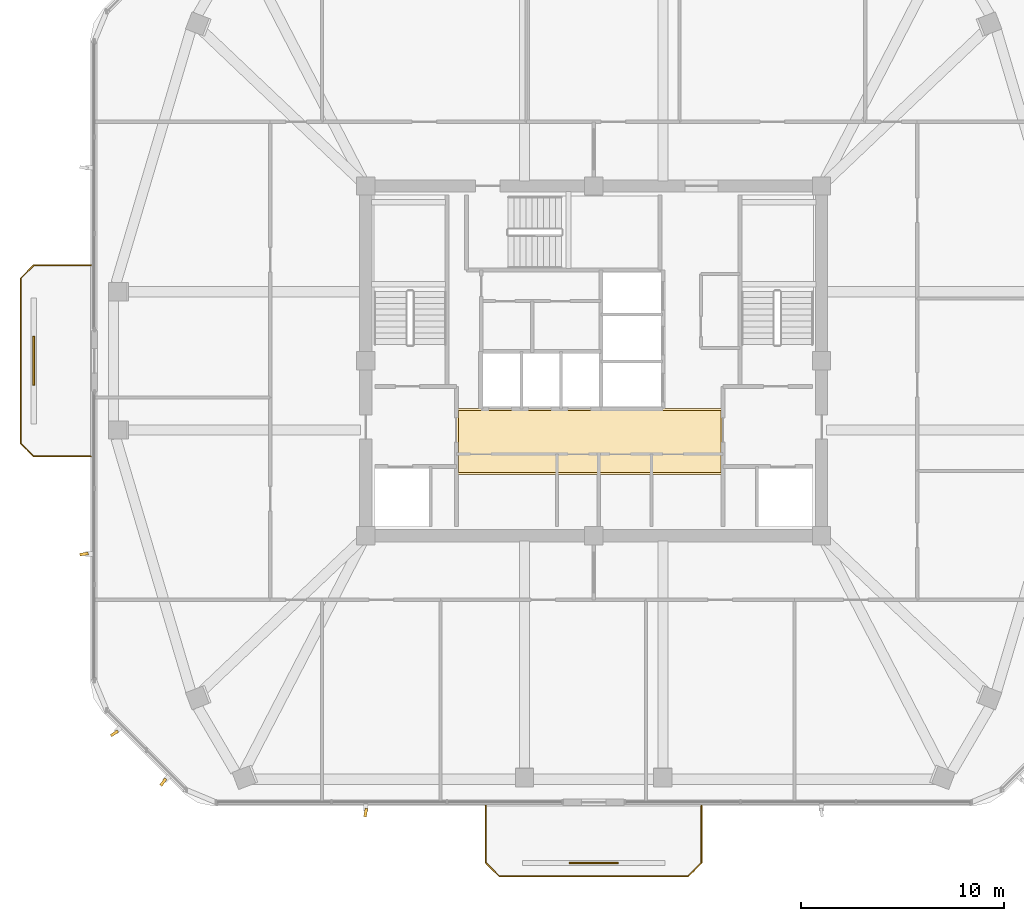
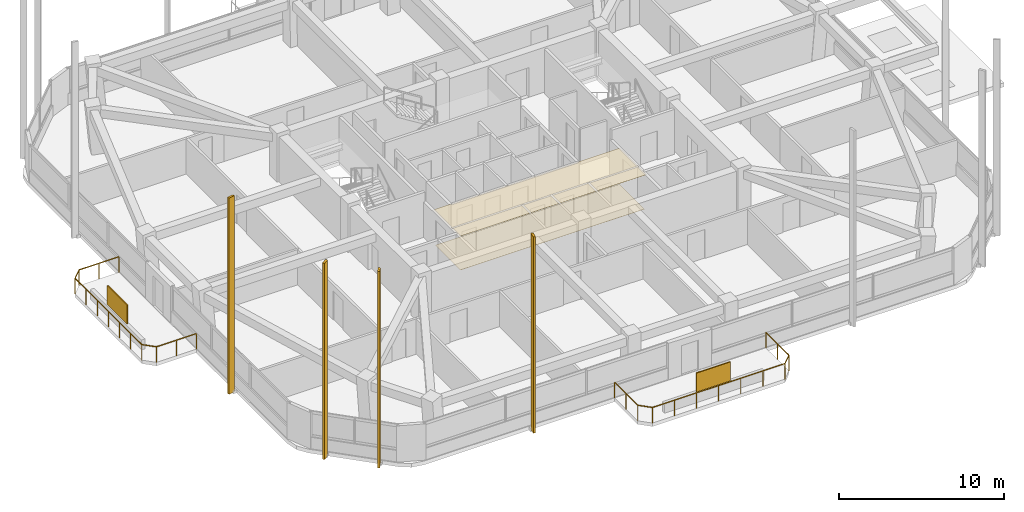
# One storey, part 11 of 14: 6 shading devices, 2 coverings, 2 railings.
"""IFC4 building model written with IfcOpenShell, lengths in metres."""

import ifcopenshell
import ifcopenshell.guid

model = None  # the IFC model being written
_history = None  # IfcOwnerHistory: only IFC2X3 demands one
_inside = {}  # id of a spatial element -> (the spatial element, [elements in it])
_under = {}  # id of a project, library or spatial element -> (it, [spatial elements below it])
_declared = {}  # id of a project -> (the project, [libraries it declares])
_typed = {}  # id of a type object -> (the type object, [elements of that type])
_made_of = {}  # id of a material, layer set ... -> (it, [elements and type objects made of it])


def new_model(schema):
    """Start an empty IFC model of exactly this schema.

    Asked for "IFC4X3", IfcOpenShell would pick the latest addendum, in which some entities
    have other attributes; the version numbers below select the first issue.
    IFC2X3 requires an IfcOwnerHistory on every rooted entity: one is made here for all.
    """
    global model, _history
    if schema == "IFC4X3":
        model = ifcopenshell.file(schema_version=(4, 3, 0, 0))
    else:
        model = ifcopenshell.file(schema=schema)
    _inside.clear()
    _under.clear()
    _declared.clear()
    _typed.clear()
    _made_of.clear()
    _history = None
    if model.schema == "IFC2X3":
        org = make("IfcOrganization", Name="unknown")
        user = make(
            "IfcPersonAndOrganization",
            ThePerson=make("IfcPerson", FamilyName="unknown"),
            TheOrganization=org,
        )
        app = make(
            "IfcApplication",
            ApplicationDeveloper=org,
            Version="unknown",
            ApplicationFullName="unknown",
            ApplicationIdentifier="unknown",
        )
        _history = make(
            "IfcOwnerHistory",
            OwningUser=user,
            OwningApplication=app,
            ChangeAction="ADDED",
            CreationDate=0,
        )
    return model


def make(cls, **values):
    """One entity of the class cls with the attributes given. An attribute that is None is left unset."""
    return model.create_entity(
        cls, **{name: value for name, value in values.items() if value is not None}
    )


def rooted(cls, **values):
    """An entity with a GlobalId (a new one), such as an element, a storey or a relation."""
    return make(cls, GlobalId=ifcopenshell.guid.new(), OwnerHistory=_history, **values)


def si_unit(unit_type, name, prefix=None):
    """IfcSIUnit, for example si_unit("LENGTHUNIT", "METRE", prefix="MILLI")."""
    return make("IfcSIUnit", UnitType=unit_type, Prefix=prefix, Name=name)


def derived_unit(unit_type, elements):
    """IfcDerivedUnit: a product of units, each with its exponent."""
    return make(
        "IfcDerivedUnit",
        Elements=[
            make("IfcDerivedUnitElement", Unit=unit, Exponent=power)
            for unit, power in elements
        ],
        UnitType=unit_type,
    )


def assignment(units):
    """IfcUnitAssignment: the units of a project."""
    return None if units is None else make("IfcUnitAssignment", Units=units)


def point(xyz):
    """IfcCartesianPoint."""
    return None if xyz is None else make("IfcCartesianPoint", Coordinates=xyz)


def direction(xyz):
    """IfcDirection."""
    return None if xyz is None else make("IfcDirection", DirectionRatios=xyz)


def frame(location, z_axis=None, x_axis=None):
    """IfcAxis2Placement3D, a coordinate frame: its origin and axes. An axis left out is left unset."""
    return make(
        "IfcAxis2Placement3D",
        Location=point(location),
        Axis=direction(z_axis),
        RefDirection=direction(x_axis),
    )


def frame_2d(location, x_axis=None):
    """IfcAxis2Placement2D, a coordinate frame in the plane: its origin and x axis."""
    return make(
        "IfcAxis2Placement2D", Location=point(location), RefDirection=direction(x_axis)
    )


def origin():
    """The frame at (0, 0, 0) with its axes left unset."""
    return frame((0.0, 0.0, 0.0))


def origin_2d():
    """The frame at (0, 0) in the plane with its x axis left unset."""
    return frame_2d((0.0, 0.0))


def place(relative_to, where):
    """IfcLocalPlacement: puts the frame where relative to a parent placement (None: the world)."""
    return make(
        "IfcLocalPlacement", PlacementRelTo=relative_to, RelativePlacement=where
    )


def context(
    kind, dimensions, precision=None, world=None, true_north=None, identifier=None
):
    """IfcGeometricRepresentationContext, for example the 3D "Model" context."""
    return make(
        "IfcGeometricRepresentationContext",
        ContextIdentifier=identifier,
        ContextType=kind,
        CoordinateSpaceDimension=dimensions,
        Precision=precision,
        WorldCoordinateSystem=world,
        TrueNorth=true_north,
    )


def subcontext(parent, identifier, kind, view, scale=None):
    """IfcGeometricRepresentationSubContext, for example "Body" below "Model"."""
    return make(
        "IfcGeometricRepresentationSubContext",
        ContextIdentifier=identifier,
        ContextType=kind,
        ParentContext=parent,
        TargetScale=scale,
        TargetView=view,
    )


def project(units=None, contexts=None):
    """IfcProject with its units and contexts."""
    return rooted(
        "IfcProject",
        Name="project",
        RepresentationContexts=contexts,
        UnitsInContext=assignment(units),
    )


def spatial(cls, under=None, at=None, **own):
    """A site, building, storey or space (cls), placed at a placement, below another one or the project."""
    s = rooted(cls, ObjectPlacement=at, **own)
    if under is not None:
        _under.setdefault(under.id(), (under, []))[1].append(s)
    return s


def polyline(points):
    """IfcPolyline through the points."""
    return make("IfcPolyline", Points=[point(p) for p in points])


def profile(cls, at=None, kind="AREA", **sizes):
    """A parametric profile (cls). Its sizes go by their IFC names, for example OverallWidth=200.0."""
    return make(cls, ProfileType=kind, Position=at, **sizes)


def rectangle(**sizes):
    """IfcRectangleProfileDef."""
    return profile("IfcRectangleProfileDef", **sizes)


def outline(outer, holes=None, kind="AREA"):
    """IfcArbitraryClosedProfileDef: a profile drawn as a closed curve; with holes, ...WithVoids."""
    if holes is None:
        return make("IfcArbitraryClosedProfileDef", ProfileType=kind, OuterCurve=outer)
    return make(
        "IfcArbitraryProfileDefWithVoids",
        ProfileType=kind,
        OuterCurve=outer,
        InnerCurves=holes,
    )


def extrude(swept, where, along, depth):
    """IfcExtrudedAreaSolid: the profile swept, set in the frame where, extruded along a direction by depth."""
    return make(
        "IfcExtrudedAreaSolid",
        SweptArea=swept,
        Position=where,
        ExtrudedDirection=direction(along),
        Depth=depth,
    )


def shape(context_of_items, identifier, shape_type, items):
    """IfcShapeRepresentation: the items that make up one representation, for example the "Body"."""
    return make(
        "IfcShapeRepresentation",
        ContextOfItems=context_of_items,
        RepresentationIdentifier=identifier,
        RepresentationType=shape_type,
        Items=items,
    )


def material(Name=None, Category=None):
    """IfcMaterial."""
    return make("IfcMaterial", Name=Name, Category=Category)


def layer(
    of_material, thickness, ventilated=None, Name=None, Category=None, Priority=None
):
    """IfcMaterialLayer: one layer of a wall or slab, of a material (None: an air gap)."""
    return make(
        "IfcMaterialLayer",
        Material=of_material,
        LayerThickness=thickness,
        IsVentilated=ventilated,
        Name=Name,
        Category=Category,
        Priority=Priority,
    )


def layer_set(layers, Name=None):
    """IfcMaterialLayerSet."""
    return make("IfcMaterialLayerSet", MaterialLayers=layers, LayerSetName=Name)


def made_of(thing, what):
    """Note that an element or type object is made of a material, layer set ...; save() writes the relation."""
    if what is not None:
        _made_of.setdefault(what.id(), (what, []))[1].append(thing)
    return thing


def type_object(cls, material=None, **own):
    """A type object (cls), such as IfcWallType, which elements share."""
    return made_of(rooted(cls, **own), material)


def element(
    cls,
    number,
    at=None,
    inside=None,
    cuts=None,
    type_object=None,
    material=None,
    context=None,
    identifier="Body",
    shape_type=None,
    held_by="IfcProductDefinitionShape",
    body=None,
    shapes=None,
    **own,
):
    """One element of the class cls, such as IfcWall. Its Tag is "e" and its number.

    at: its placement. inside: the storey or other place that contains it. cuts: it is an
    opening in that element (IfcRelVoidsElement). A single representation is given by context,
    identifier, shape_type and body (its items); several are given by shapes. held_by: the class
    of the entity that holds the representations. save() writes the other relations.
    """
    e = rooted(cls, Tag="e%d" % number, ObjectPlacement=at, **own)
    if body is not None:
        shapes = [shape(context, identifier, shape_type, body)]
    if shapes is not None:
        e.Representation = make(held_by, Representations=shapes)
    if inside is not None:
        _inside.setdefault(inside.id(), (inside, []))[1].append(e)
    if cuts is not None:
        rooted(
            "IfcRelVoidsElement", RelatingBuildingElement=cuts, RelatedOpeningElement=e
        )
    if type_object is not None:
        _typed.setdefault(type_object.id(), (type_object, []))[1].append(e)
    return made_of(e, material)


def aggregate(whole, parts):
    """IfcRelAggregates: a whole, such as a stair, and the parts it consists of."""
    return rooted("IfcRelAggregates", RelatingObject=whole, RelatedObjects=parts)


def save(model, path):
    """Write the relations noted so far, then the file.

    IfcRelAggregates (storeys below a building ...), IfcRelContainedInSpatialStructure (elements
    in a storey), IfcRelDefinesByType, IfcRelAssociatesMaterial and IfcRelDeclares: one each for
    every whole, place, type object, material and project.
    """
    for whole, parts in _under.values():
        aggregate(whole, parts)
    for where, things in _inside.values():
        rooted(
            "IfcRelContainedInSpatialStructure",
            RelatedElements=things,
            RelatingStructure=where,
        )
    for kind, things in _typed.values():
        rooted("IfcRelDefinesByType", RelatedObjects=things, RelatingType=kind)
    for what, things in _made_of.values():
        rooted("IfcRelAssociatesMaterial", RelatedObjects=things, RelatingMaterial=what)
    for by, libraries in _declared.values():
        rooted("IfcRelDeclares", RelatingContext=by, RelatedDefinitions=libraries)
    model.write(path)


model = new_model("IFC4")

# Units and contexts
model_context = context("Model", 3, precision=1e-05, world=origin(), true_north=direction((0.0, 1.0)))
body_context = subcontext(model_context, "Body", "Model", "MODEL_VIEW")
ifc_project = project(units=[si_unit("LENGTHUNIT", "METRE"), si_unit("AREAUNIT", "SQUARE_METRE"), si_unit("VOLUMEUNIT", "CUBIC_METRE"), si_unit("PLANEANGLEUNIT", "RADIAN"), si_unit("MASSUNIT", "GRAM", prefix="KILO"), derived_unit("THERMALTRANSMITTANCEUNIT", [(si_unit("POWERUNIT", "WATT"), 1), (si_unit("LENGTHUNIT", "METRE"), -2), (si_unit("THERMODYNAMICTEMPERATUREUNIT", "KELVIN"), -1)])], contexts=[model_context])

# Site, building, storey
site_placement = place(None, origin())
site = spatial("IfcSite", under=ifc_project, at=site_placement, CompositionType="ELEMENT")
building_placement = place(site_placement, origin())
building = spatial("IfcBuilding", under=site, at=building_placement, Name="Koralith Skygarden Medical Center", CompositionType="ELEMENT")
storey_placement = place(building_placement, frame((0.0, 0.0, 192.780029296875)))
storey = spatial("IfcBuildingStorey", under=building, at=storey_placement, Name="L49", CompositionType="ELEMENT", Elevation=192.780029296875)

# Covering
ifc_material_1 = material(Name="Acoustic Mineral Tile")
ifc_layer_1 = layer(ifc_material_1, 0.02001953125)
ifc_layer_set_1 = layer_set([ifc_layer_1], Name="Acoustic Mineral Tile")
covering_type_1 = type_object("IfcCoveringType", Name="Acoustic Hygienic Mineral Ceiling 20", PredefinedType="CEILING", material=ifc_layer_set_1)
covering_1_placement = place(storey_placement, frame((0.0, 0.0, 2.5849609375)))
element("IfcCovering", 1, at=covering_1_placement, inside=storey, type_object=covering_type_1, Name="L49 Core Lobby Acoustic Ceiling", PredefinedType="CEILING", context=body_context, shape_type="SweptSolid", body=[
    extrude(outline(polyline([(30.25, 20.320068359375), (43.35009765625, 20.320068359375), (43.35009765625, 23.56005859375), (30.25, 23.56005859375), (30.25, 20.320068359375)])), origin(), (0.0, 0.0, 1.0), 0.02001953125),
])

# Shading devices
ifc_material_2 = material(Name="Aluminium 6063-T6", Category="aluminium")
shading_device_type_1 = type_object("IfcShadingDeviceType", Name="Limestone-Clad Solar Storm Fin 420", PredefinedType="USERDEFINED", material=ifc_material_2)
for number, where, z_axis, x_axis, name in (
    (2, (25.794921875, 3.695068359375, -0.2001953125), (0.0, 0.0, 1.0), (-0.183505289776, -0.983018722418, 0.0), "L49 S Harmonic Solar Storm Fin 1"),
    (3, (11.946044921875, 16.405029296875, -0.2001953125), (0.0, 0.0, 1.0), (-0.987228186291, -0.159312611531, 0.0), "L49 W Harmonic Solar Storm Fin 2"),
    (4, (13.445068359375, 7.591064453125, -0.2001953125), (0.0, 0.0, 1.0), (-0.824857039439, -0.565341369871, 0.0), "L49 SW Harmonic Solar Storm Fin 1"),
    (5, (15.843017578125, 5.193115234375, -0.2001953125), (0.0, 0.0, 1.0), (-0.585424717163, -0.810726773047, 0.0), "L49 SW Harmonic Solar Storm Fin 2"),
):
    element("IfcShadingDevice", number, at=place(storey_placement, frame(where, z_axis=z_axis, x_axis=x_axis)), inside=storey, type_object=shading_device_type_1, Name=name, ObjectType="SOLAR FIN", PredefinedType="USERDEFINED", context=body_context, shape_type="SweptSolid", body=[
        extrude(rectangle(XDim=0.419921875, YDim=0.139892578125, at=origin_2d()), origin(), (0.0, 0.0, 1.0), 14.550048828125),
    ])

# Railings
ifc_material_3 = material(Name="Steel ASTM A500 Grade C", Category="steel")
railing_type = type_object("IfcRailingType", Name="Outdoor Terrace & Balcony Safety Guardrail 1180", PredefinedType="GUARDRAIL", material=ifc_material_3)
railing_1_placement = place(storey_placement, frame((31.699951171875, 4.02490234375, 0.0)))
element("IfcRailing", 6, at=railing_1_placement, inside=storey, type_object=railing_type, Name="L49 S Balcony Perimeter Guardrail", PredefinedType="GUARDRAIL", context=body_context, shape_type="SweptSolid", body=[
    extrude(rectangle(XDim=0.050048828125, YDim=0.050048828125, at=origin_2d()), frame((0.0, -0.001953125, 1.15478515625), z_axis=(0.0, -1.0, 0.0), x_axis=(1.0, 0.0, 0.0)), (0.0, 0.0, 1.0), 2.7958984375),
    extrude(rectangle(XDim=0.050048828125, YDim=0.050048828125, at=origin_2d()), frame((0.00146484375, -2.80126953125, 1.15478515625), z_axis=(0.707106781187, -0.707106781187, 0.0), x_axis=(0.707106781187, 0.707106781187, 0.0)), (0.0, 0.0, 1.0), 0.91552734375),
    extrude(rectangle(XDim=0.050048828125, YDim=0.050048828125, at=origin_2d()), frame((0.652099609375, -3.449951171875, 1.15478515625), z_axis=(1.0, 0.0, 0.0), x_axis=(0.0, 1.0, 0.0)), (0.0, 0.0, 1.0), 9.2958984375),
    extrude(rectangle(XDim=0.050048828125, YDim=0.050048828125, at=origin_2d()), frame((9.951416015625, -3.448486328125, 1.15478515625), z_axis=(0.707106781187, 0.707106781187, 0.0), x_axis=(-0.707106781187, 0.707106781187, 0.0)), (0.0, 0.0, 1.0), 0.91552734375),
    extrude(rectangle(XDim=0.050048828125, YDim=0.050048828125, at=origin_2d()), frame((10.60009765625, -2.7978515625, 1.15478515625), z_axis=(0.0, 1.0, 0.0), x_axis=(-1.0, 0.0, 0.0)), (0.0, 0.0, 1.0), 2.7958984375),
    extrude(rectangle(XDim=0.0419921875, YDim=0.0419921875, at=origin_2d()), origin(), (0.0, 0.0, 1.0), 1.1279296875),
    extrude(rectangle(XDim=0.0419921875, YDim=0.0419921875, at=origin_2d()), frame((0.0, -1.39990234375, 0.0)), (0.0, 0.0, 1.0), 1.1279296875),
    extrude(rectangle(XDim=0.0419921875, YDim=0.0419921875, at=origin_2d()), frame((0.0, -2.7998046875, 0.0)), (0.0, 0.0, 1.0), 1.1279296875),
    extrude(rectangle(XDim=0.0419921875, YDim=0.0419921875, at=origin_2d()), frame((0.650146484375, -3.449951171875, 0.0)), (0.0, 0.0, 1.0), 1.1279296875),
    extrude(rectangle(XDim=0.0419921875, YDim=0.0419921875, at=origin_2d()), frame((2.2001953125, -3.449951171875, 0.0)), (0.0, 0.0, 1.0), 1.1279296875),
    extrude(rectangle(XDim=0.0419921875, YDim=0.0419921875, at=origin_2d()), frame((3.75, -3.449951171875, 0.0)), (0.0, 0.0, 1.0), 1.1279296875),
    extrude(rectangle(XDim=0.0419921875, YDim=0.0419921875, at=origin_2d()), frame((5.300048828125, -3.449951171875, 0.0)), (0.0, 0.0, 1.0), 1.1279296875),
    extrude(rectangle(XDim=0.0419921875, YDim=0.0419921875, at=origin_2d()), frame((6.85009765625, -3.449951171875, 0.0)), (0.0, 0.0, 1.0), 1.1279296875),
    extrude(rectangle(XDim=0.0419921875, YDim=0.0419921875, at=origin_2d()), frame((8.39990234375, -3.449951171875, 0.0)), (0.0, 0.0, 1.0), 1.1279296875),
    extrude(rectangle(XDim=0.0419921875, YDim=0.0419921875, at=origin_2d()), frame((9.949951171875, -3.449951171875, 0.0)), (0.0, 0.0, 1.0), 1.1279296875),
    extrude(rectangle(XDim=0.0419921875, YDim=0.0419921875, at=origin_2d()), frame((10.60009765625, -2.7998046875, 0.0)), (0.0, 0.0, 1.0), 1.1279296875),
    extrude(rectangle(XDim=0.0419921875, YDim=0.0419921875, at=origin_2d()), frame((10.60009765625, -1.39990234375, 0.0)), (0.0, 0.0, 1.0), 1.1279296875),
    extrude(rectangle(XDim=0.0419921875, YDim=0.0419921875, at=origin_2d()), frame((10.60009765625, 0.0, 0.0)), (0.0, 0.0, 1.0), 1.1279296875),
])
railing_2_placement = place(storey_placement, frame((12.27587890625, 21.199951171875, 0.0)))
element("IfcRailing", 7, at=railing_2_placement, inside=storey, type_object=railing_type, Name="L49 W Balcony Perimeter Guardrail", PredefinedType="GUARDRAIL", context=body_context, shape_type="SweptSolid", body=[
    extrude(rectangle(XDim=0.050048828125, YDim=0.050048828125, at=origin_2d()), frame((-0.001953125, 0.0, 1.15478515625), z_axis=(-1.0, 0.0, 0.0), x_axis=(0.0, -1.0, 0.0)), (0.0, 0.0, 1.0), 2.7958984375),
    extrude(rectangle(XDim=0.050048828125, YDim=0.050048828125, at=origin_2d()), frame((-2.80126953125, 0.00146484375, 1.15478515625), z_axis=(-0.707106781187, 0.707106781187, 0.0), x_axis=(-0.707106781187, -0.707106781187, 0.0)), (0.0, 0.0, 1.0), 0.91552734375),
    extrude(rectangle(XDim=0.050048828125, YDim=0.050048828125, at=origin_2d()), frame((-3.449951171875, 0.652099609375, 1.15478515625), z_axis=(0.0, 1.0, 0.0), x_axis=(-1.0, 0.0, 0.0)), (0.0, 0.0, 1.0), 8.095947265625),
    extrude(rectangle(XDim=0.050048828125, YDim=0.050048828125, at=origin_2d()), frame((-3.448486328125, 8.75146484375, 1.15478515625), z_axis=(0.707106781187, 0.707106781187, 0.0), x_axis=(-0.707106781187, 0.707106781187, 0.0)), (0.0, 0.0, 1.0), 0.91552734375),
    extrude(rectangle(XDim=0.050048828125, YDim=0.050048828125, at=origin_2d()), frame((-2.7978515625, 9.400146484375, 1.15478515625), z_axis=(1.0, 0.0, 0.0), x_axis=(0.0, 1.0, 0.0)), (0.0, 0.0, 1.0), 2.7958984375),
    extrude(rectangle(XDim=0.0419921875, YDim=0.0419921875, at=origin_2d()), origin(), (0.0, 0.0, 1.0), 1.1279296875),
    extrude(rectangle(XDim=0.0419921875, YDim=0.0419921875, at=origin_2d()), frame((-1.39990234375, 0.0, 0.0)), (0.0, 0.0, 1.0), 1.1279296875),
    extrude(rectangle(XDim=0.0419921875, YDim=0.0419921875, at=origin_2d()), frame((-2.7998046875, 0.0, 0.0)), (0.0, 0.0, 1.0), 1.1279296875),
    extrude(rectangle(XDim=0.0419921875, YDim=0.0419921875, at=origin_2d()), frame((-3.449951171875, 0.650146484375, 0.0)), (0.0, 0.0, 1.0), 1.1279296875),
    extrude(rectangle(XDim=0.0419921875, YDim=0.0419921875, at=origin_2d()), frame((-3.449951171875, 2.0, 0.0)), (0.0, 0.0, 1.0), 1.1279296875),
    extrude(rectangle(XDim=0.0419921875, YDim=0.0419921875, at=origin_2d()), frame((-3.449951171875, 3.35009765625, 0.0)), (0.0, 0.0, 1.0), 1.1279296875),
    extrude(rectangle(XDim=0.0419921875, YDim=0.0419921875, at=origin_2d()), frame((-3.449951171875, 4.7001953125, 0.0)), (0.0, 0.0, 1.0), 1.1279296875),
    extrude(rectangle(XDim=0.0419921875, YDim=0.0419921875, at=origin_2d()), frame((-3.449951171875, 6.050048828125, 0.0)), (0.0, 0.0, 1.0), 1.1279296875),
    extrude(rectangle(XDim=0.0419921875, YDim=0.0419921875, at=origin_2d()), frame((-3.449951171875, 7.39990234375, 0.0)), (0.0, 0.0, 1.0), 1.1279296875),
    extrude(rectangle(XDim=0.0419921875, YDim=0.0419921875, at=origin_2d()), frame((-3.449951171875, 8.75, 0.0)), (0.0, 0.0, 1.0), 1.1279296875),
    extrude(rectangle(XDim=0.0419921875, YDim=0.0419921875, at=origin_2d()), frame((-2.7998046875, 9.400146484375, 0.0)), (0.0, 0.0, 1.0), 1.1279296875),
    extrude(rectangle(XDim=0.0419921875, YDim=0.0419921875, at=origin_2d()), frame((-1.39990234375, 9.400146484375, 0.0)), (0.0, 0.0, 1.0), 1.1279296875),
    extrude(rectangle(XDim=0.0419921875, YDim=0.0419921875, at=origin_2d()), frame((0.0, 9.400146484375, 0.0)), (0.0, 0.0, 1.0), 1.1279296875),
])

# Shading devices
ifc_layer_2 = layer(ifc_material_2, 0.080078125)
ifc_layer_set_2 = layer_set([ifc_layer_2], Name="Aluminium 6063-T6")
shading_device_type_2 = type_object("IfcShadingDeviceType", Name="Perforated Biophilic Balcony Trellis Screen", PredefinedType="USERDEFINED", material=ifc_layer_set_2)
for number, where, z_axis, x_axis, name in (
    (8, (37.0, 1.22509765625, 0.719970703125), (0.0, 0.0, 1.0), (1.0, 0.0, 0.0), "L49 S Biophilic Balcony Trellis Screen"),
    (9, (9.47607421875, 25.89990234375, 0.719970703125), (0.0, 0.0, 1.0), (0.0, 1.0, 0.0), "L49 W Biophilic Balcony Trellis Screen"),
):
    element("IfcShadingDevice", number, at=place(storey_placement, frame(where, z_axis=z_axis, x_axis=x_axis)), inside=storey, type_object=shading_device_type_2, Name=name, ObjectType="HURRICANE SCREEN", PredefinedType="USERDEFINED", context=body_context, shape_type="SweptSolid", body=[
        extrude(rectangle(XDim=2.39990234375, YDim=0.080078125, at=origin_2d()), origin(), (0.0, 0.0, 1.0), 1.39990234375),
    ])

# Covering
ifc_material_4 = material(Name="Medical Terrazzo Flooring")
ifc_layer_3 = layer(ifc_material_4, 0.014892578125)
ifc_layer_set_3 = layer_set([ifc_layer_3], Name="Medical Terrazzo Flooring")
covering_type_2 = type_object("IfcCoveringType", Name="Seamless Antimicrobial Terrazzo Flooring 15", PredefinedType="FLOORING", material=ifc_layer_set_3)
covering_2_placement = place(storey_placement, origin())
element("IfcCovering", 10, at=covering_2_placement, inside=storey, type_object=covering_type_2, Name="L49 Core Lobby Terrazzo Flooring", PredefinedType="FLOORING", context=body_context, shape_type="SweptSolid", body=[
    extrude(outline(polyline([(30.35009765625, 20.419921875), (43.25, 20.419921875), (43.25, 23.4599609375), (30.35009765625, 23.4599609375), (30.35009765625, 20.419921875)])), origin(), (0.0, 0.0, 1.0), 0.014892578125),
])

save(model, "model.ifc")
